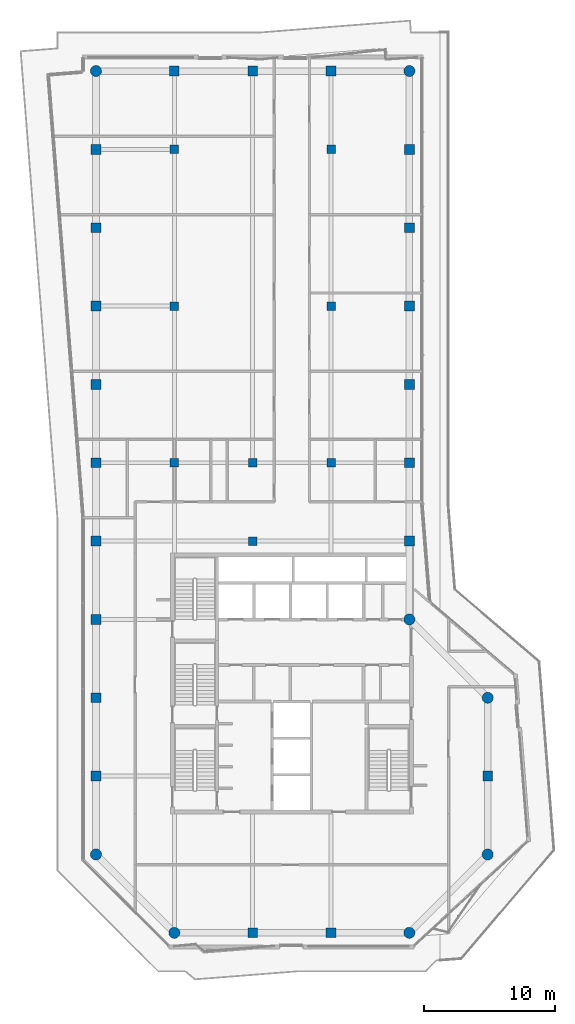
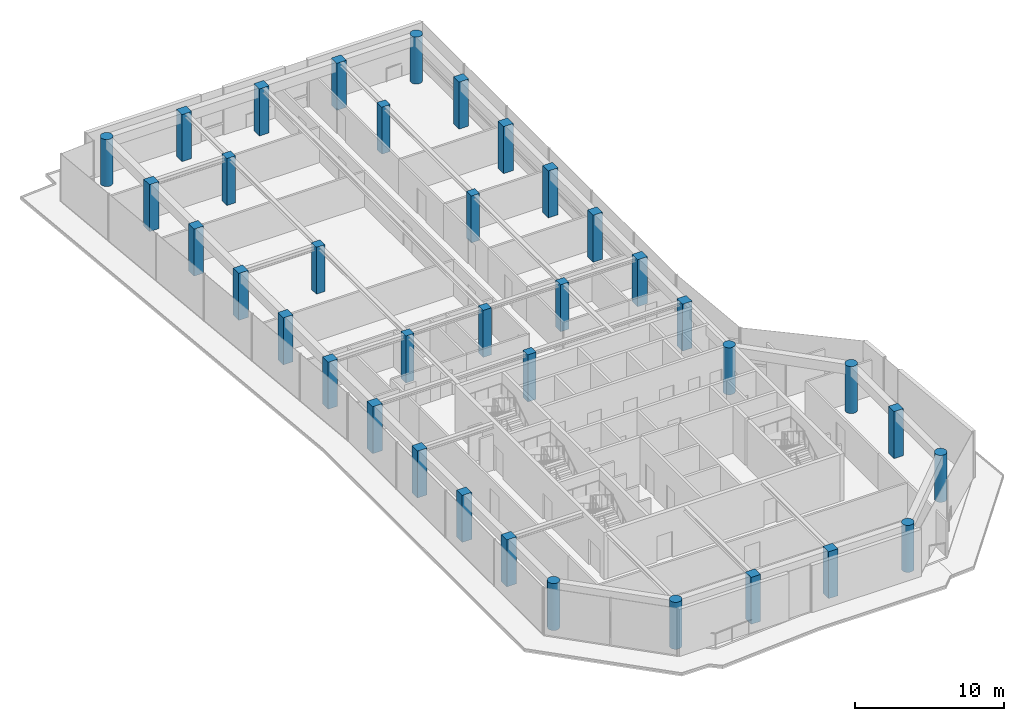
# One storey, part 1 of 23: 37 columns.
"""IFC4 building model written with IfcOpenShell, lengths in metres."""

import ifcopenshell
import ifcopenshell.guid

model = None  # the IFC model being written
_history = None  # IfcOwnerHistory: only IFC2X3 demands one
_inside = {}  # id of a spatial element -> (the spatial element, [elements in it])
_under = {}  # id of a project, library or spatial element -> (it, [spatial elements below it])
_declared = {}  # id of a project -> (the project, [libraries it declares])
_typed = {}  # id of a type object -> (the type object, [elements of that type])
_made_of = {}  # id of a material, layer set ... -> (it, [elements and type objects made of it])


def new_model(schema):
    """Start an empty IFC model of exactly this schema.

    Asked for "IFC4X3", IfcOpenShell would pick the latest addendum, in which some entities
    have other attributes; the version numbers below select the first issue.
    IFC2X3 requires an IfcOwnerHistory on every rooted entity: one is made here for all.
    """
    global model, _history
    if schema == "IFC4X3":
        model = ifcopenshell.file(schema_version=(4, 3, 0, 0))
    else:
        model = ifcopenshell.file(schema=schema)
    _inside.clear()
    _under.clear()
    _declared.clear()
    _typed.clear()
    _made_of.clear()
    _history = None
    if model.schema == "IFC2X3":
        org = make("IfcOrganization", Name="unknown")
        user = make(
            "IfcPersonAndOrganization",
            ThePerson=make("IfcPerson", FamilyName="unknown"),
            TheOrganization=org,
        )
        app = make(
            "IfcApplication",
            ApplicationDeveloper=org,
            Version="unknown",
            ApplicationFullName="unknown",
            ApplicationIdentifier="unknown",
        )
        _history = make(
            "IfcOwnerHistory",
            OwningUser=user,
            OwningApplication=app,
            ChangeAction="ADDED",
            CreationDate=0,
        )
    return model


def make(cls, **values):
    """One entity of the class cls with the attributes given. An attribute that is None is left unset."""
    return model.create_entity(
        cls, **{name: value for name, value in values.items() if value is not None}
    )


def rooted(cls, **values):
    """An entity with a GlobalId (a new one), such as an element, a storey or a relation."""
    return make(cls, GlobalId=ifcopenshell.guid.new(), OwnerHistory=_history, **values)


def si_unit(unit_type, name, prefix=None):
    """IfcSIUnit, for example si_unit("LENGTHUNIT", "METRE", prefix="MILLI")."""
    return make("IfcSIUnit", UnitType=unit_type, Prefix=prefix, Name=name)


def assignment(units):
    """IfcUnitAssignment: the units of a project."""
    return None if units is None else make("IfcUnitAssignment", Units=units)


def point(xyz):
    """IfcCartesianPoint."""
    return None if xyz is None else make("IfcCartesianPoint", Coordinates=xyz)


def direction(xyz):
    """IfcDirection."""
    return None if xyz is None else make("IfcDirection", DirectionRatios=xyz)


def frame(location, z_axis=None, x_axis=None):
    """IfcAxis2Placement3D, a coordinate frame: its origin and axes. An axis left out is left unset."""
    return make(
        "IfcAxis2Placement3D",
        Location=point(location),
        Axis=direction(z_axis),
        RefDirection=direction(x_axis),
    )


def frame_2d(location, x_axis=None):
    """IfcAxis2Placement2D, a coordinate frame in the plane: its origin and x axis."""
    return make(
        "IfcAxis2Placement2D", Location=point(location), RefDirection=direction(x_axis)
    )


def origin():
    """The frame at (0, 0, 0) with its axes left unset."""
    return frame((0.0, 0.0, 0.0))


def origin_2d():
    """The frame at (0, 0) in the plane with its x axis left unset."""
    return frame_2d((0.0, 0.0))


def place(relative_to, where):
    """IfcLocalPlacement: puts the frame where relative to a parent placement (None: the world)."""
    return make(
        "IfcLocalPlacement", PlacementRelTo=relative_to, RelativePlacement=where
    )


def context(
    kind, dimensions, precision=None, world=None, true_north=None, identifier=None
):
    """IfcGeometricRepresentationContext, for example the 3D "Model" context."""
    return make(
        "IfcGeometricRepresentationContext",
        ContextIdentifier=identifier,
        ContextType=kind,
        CoordinateSpaceDimension=dimensions,
        Precision=precision,
        WorldCoordinateSystem=world,
        TrueNorth=true_north,
    )


def subcontext(parent, identifier, kind, view, scale=None):
    """IfcGeometricRepresentationSubContext, for example "Body" below "Model"."""
    return make(
        "IfcGeometricRepresentationSubContext",
        ContextIdentifier=identifier,
        ContextType=kind,
        ParentContext=parent,
        TargetScale=scale,
        TargetView=view,
    )


def project(units=None, contexts=None):
    """IfcProject with its units and contexts."""
    return rooted(
        "IfcProject",
        Name="project",
        RepresentationContexts=contexts,
        UnitsInContext=assignment(units),
    )


def spatial(cls, under=None, at=None, **own):
    """A site, building, storey or space (cls), placed at a placement, below another one or the project."""
    s = rooted(cls, ObjectPlacement=at, **own)
    if under is not None:
        _under.setdefault(under.id(), (under, []))[1].append(s)
    return s


def profile(cls, at=None, kind="AREA", **sizes):
    """A parametric profile (cls). Its sizes go by their IFC names, for example OverallWidth=200.0."""
    return make(cls, ProfileType=kind, Position=at, **sizes)


def rectangle(**sizes):
    """IfcRectangleProfileDef."""
    return profile("IfcRectangleProfileDef", **sizes)


def circle(**sizes):
    """IfcCircleProfileDef."""
    return profile("IfcCircleProfileDef", **sizes)


def extrude(swept, where, along, depth):
    """IfcExtrudedAreaSolid: the profile swept, set in the frame where, extruded along a direction by depth."""
    return make(
        "IfcExtrudedAreaSolid",
        SweptArea=swept,
        Position=where,
        ExtrudedDirection=direction(along),
        Depth=depth,
    )


def shape(context_of_items, identifier, shape_type, items):
    """IfcShapeRepresentation: the items that make up one representation, for example the "Body"."""
    return make(
        "IfcShapeRepresentation",
        ContextOfItems=context_of_items,
        RepresentationIdentifier=identifier,
        RepresentationType=shape_type,
        Items=items,
    )


def material(Name=None, Category=None):
    """IfcMaterial."""
    return make("IfcMaterial", Name=Name, Category=Category)


def material_profile(
    of_material, cross_section, Name=None, Category=None, Priority=None
):
    """IfcMaterialProfile: a cross section and its material."""
    return make(
        "IfcMaterialProfile",
        Name=Name,
        Material=of_material,
        Profile=cross_section,
        Priority=Priority,
        Category=Category,
    )


def profile_set(profiles, Name=None, composite=None):
    """IfcMaterialProfileSet."""
    return make(
        "IfcMaterialProfileSet",
        Name=Name,
        MaterialProfiles=profiles,
        CompositeProfile=composite,
    )


def made_of(thing, what):
    """Note that an element or type object is made of a material, layer set ...; save() writes the relation."""
    if what is not None:
        _made_of.setdefault(what.id(), (what, []))[1].append(thing)
    return thing


def type_object(cls, material=None, **own):
    """A type object (cls), such as IfcWallType, which elements share."""
    return made_of(rooted(cls, **own), material)


def element(
    cls,
    number,
    at=None,
    inside=None,
    cuts=None,
    type_object=None,
    material=None,
    context=None,
    identifier="Body",
    shape_type=None,
    held_by="IfcProductDefinitionShape",
    body=None,
    shapes=None,
    **own,
):
    """One element of the class cls, such as IfcWall. Its Tag is "e" and its number.

    at: its placement. inside: the storey or other place that contains it. cuts: it is an
    opening in that element (IfcRelVoidsElement). A single representation is given by context,
    identifier, shape_type and body (its items); several are given by shapes. held_by: the class
    of the entity that holds the representations. save() writes the other relations.
    """
    e = rooted(cls, Tag="e%d" % number, ObjectPlacement=at, **own)
    if body is not None:
        shapes = [shape(context, identifier, shape_type, body)]
    if shapes is not None:
        e.Representation = make(held_by, Representations=shapes)
    if inside is not None:
        _inside.setdefault(inside.id(), (inside, []))[1].append(e)
    if cuts is not None:
        rooted(
            "IfcRelVoidsElement", RelatingBuildingElement=cuts, RelatedOpeningElement=e
        )
    if type_object is not None:
        _typed.setdefault(type_object.id(), (type_object, []))[1].append(e)
    return made_of(e, material)


def aggregate(whole, parts):
    """IfcRelAggregates: a whole, such as a stair, and the parts it consists of."""
    return rooted("IfcRelAggregates", RelatingObject=whole, RelatedObjects=parts)


def save(model, path):
    """Write the relations noted so far, then the file.

    IfcRelAggregates (storeys below a building ...), IfcRelContainedInSpatialStructure (elements
    in a storey), IfcRelDefinesByType, IfcRelAssociatesMaterial and IfcRelDeclares: one each for
    every whole, place, type object, material and project.
    """
    for whole, parts in _under.values():
        aggregate(whole, parts)
    for where, things in _inside.values():
        rooted(
            "IfcRelContainedInSpatialStructure",
            RelatedElements=things,
            RelatingStructure=where,
        )
    for kind, things in _typed.values():
        rooted("IfcRelDefinesByType", RelatedObjects=things, RelatingType=kind)
    for what, things in _made_of.values():
        rooted("IfcRelAssociatesMaterial", RelatedObjects=things, RelatingMaterial=what)
    for by, libraries in _declared.values():
        rooted("IfcRelDeclares", RelatingContext=by, RelatedDefinitions=libraries)
    model.write(path)


model = new_model("IFC4")

# Units and contexts
model_context = context("Model", 3, precision=1e-05, world=origin(), true_north=direction((0.0, 1.0)))
body_context = subcontext(model_context, "Body", "Model", "MODEL_VIEW")
ifc_project = project(units=[si_unit("LENGTHUNIT", "METRE"), si_unit("AREAUNIT", "SQUARE_METRE"), si_unit("VOLUMEUNIT", "CUBIC_METRE"), si_unit("PLANEANGLEUNIT", "RADIAN"), si_unit("MASSUNIT", "GRAM", prefix="KILO")], contexts=[model_context])

# Site, building, storey
site_placement = place(None, origin())
site = spatial("IfcSite", under=ifc_project, at=site_placement, CompositionType="ELEMENT")
building_placement = place(site_placement, origin())
building = spatial("IfcBuilding", under=site, at=building_placement, Name="Welwitschia Terrace Campus", CompositionType="ELEMENT")
storey_placement = place(building_placement, frame((0.0, 0.0, 306.199951171875)))
storey = spatial("IfcBuildingStorey", under=building, at=storey_placement, Name="L68", CompositionType="ELEMENT", Elevation=306.199951171875)

# Columns
ifc_material_1 = material(Name="Concrete C50/60", Category="concrete")
ifc_material_profile_1 = material_profile(ifc_material_1, circle(Radius=0.425048828125, at=origin_2d()))
ifc_profile_set_1 = profile_set([ifc_material_profile_1], Name="Concrete C50/60")
column_type_1 = type_object("IfcColumnType", Name="Corner column 850 dia", PredefinedType="COLUMN", material=ifc_profile_set_1)
for number, where, z_axis, x_axis, name in (
    (1, (0.0, 2.0, 0.0), (0.0, 0.0, 1.0), (1.0, 0.0, 0.0), "Column C41"),
    (2, (0.0, 62.0, 0.0), (0.0, 0.0, 1.0), (1.0, 0.0, 0.0), "Column C41"),
    (3, (6.0, -4.0, 0.0), (0.0, 0.0, 1.0), (1.0, 0.0, 0.0), "Column C41"),
    (4, (24.0, -4.0, 0.0), (0.0, 0.0, 1.0), (1.0, 0.0, 0.0), "Column C41"),
    (5, (24.0, 20.0, 0.0), (0.0, 0.0, 1.0), (1.0, 0.0, 0.0), "Column C41"),
    (6, (24.0, 62.0, 0.0), (0.0, 0.0, 1.0), (1.0, 0.0, 0.0), "Column C41"),
    (7, (30.0, 2.0, 0.0), (0.0, 0.0, 1.0), (1.0, 0.0, 0.0), "Column C41"),
    (8, (30.0, 14.0, 0.0), (0.0, 0.0, 1.0), (1.0, 0.0, 0.0), "Column C41"),
):
    element("IfcColumn", number, at=place(storey_placement, frame(where, z_axis=z_axis, x_axis=x_axis)), inside=storey, type_object=column_type_1, Name=name, PredefinedType="COLUMN", context=body_context, shape_type="SweptSolid", body=[
        extrude(circle(Radius=0.425048828125, at=origin_2d()), origin(), (0.0, 0.0, 1.0), 3.85009765625),
    ])
ifc_material_2 = material(Name="Concrete C50/60", Category="concrete")
ifc_material_profile_2 = material_profile(ifc_material_2, rectangle(XDim=0.64990234375, YDim=0.64990234375, at=origin_2d()))
ifc_profile_set_2 = profile_set([ifc_material_profile_2], Name="Concrete C50/60")
column_type_2 = type_object("IfcColumnType", Name="Interior column 650x650", PredefinedType="COLUMN", material=ifc_profile_set_2)
for number, where, z_axis, x_axis, name in (
    (9, (6.0, 32.0, 0.0), (0.0, 0.0, 1.0), (1.0, 0.0, 0.0), "Column C43"),
    (10, (6.0, 44.0, 0.0), (0.0, 0.0, 1.0), (1.0, 0.0, 0.0), "Column C43"),
    (11, (6.0, 56.0, 0.0), (0.0, 0.0, 1.0), (1.0, 0.0, 0.0), "Column C43"),
    (12, (12.0, 26.0, 0.0), (0.0, 0.0, 1.0), (1.0, 0.0, 0.0), "Column C43"),
    (13, (12.0, 32.0, 0.0), (0.0, 0.0, 1.0), (1.0, 0.0, 0.0), "Column C43"),
    (14, (18.0, 32.0, 0.0), (0.0, 0.0, 1.0), (1.0, 0.0, 0.0), "Column C43"),
    (15, (18.0, 44.0, 0.0), (0.0, 0.0, 1.0), (1.0, 0.0, 0.0), "Column C43"),
    (16, (18.0, 56.0, 0.0), (0.0, 0.0, 1.0), (1.0, 0.0, 0.0), "Column C43"),
):
    element("IfcColumn", number, at=place(storey_placement, frame(where, z_axis=z_axis, x_axis=x_axis)), inside=storey, type_object=column_type_2, Name=name, PredefinedType="COLUMN", context=body_context, shape_type="SweptSolid", body=[
        extrude(rectangle(XDim=0.64990234375, YDim=0.64990234375, at=origin_2d()), origin(), (0.0, 0.0, 1.0), 3.85009765625),
    ])
ifc_material_3 = material(Name="Concrete C50/60", Category="concrete")
ifc_material_profile_3 = material_profile(ifc_material_3, rectangle(XDim=0.75, YDim=0.75, at=origin_2d()))
ifc_profile_set_3 = profile_set([ifc_material_profile_3], Name="Concrete C50/60")
column_type_3 = type_object("IfcColumnType", Name="Ring column 750x750", PredefinedType="COLUMN", material=ifc_profile_set_3)
for number, where, z_axis, x_axis, name in (
    (17, (0.0, 8.0, 0.0), (0.0, 0.0, 1.0), (1.0, 0.0, 0.0), "Column C42"),
    (18, (0.0, 14.0, 0.0), (0.0, 0.0, 1.0), (1.0, 0.0, 0.0), "Column C42"),
    (19, (0.0, 20.0, 0.0), (0.0, 0.0, 1.0), (1.0, 0.0, 0.0), "Column C42"),
    (20, (0.0, 26.0, 0.0), (0.0, 0.0, 1.0), (1.0, 0.0, 0.0), "Column C42"),
    (21, (0.0, 32.0, 0.0), (0.0, 0.0, 1.0), (1.0, 0.0, 0.0), "Column C42"),
    (22, (0.0, 38.0, 0.0), (0.0, 0.0, 1.0), (1.0, 0.0, 0.0), "Column C42"),
    (23, (0.0, 44.0, 0.0), (0.0, 0.0, 1.0), (1.0, 0.0, 0.0), "Column C42"),
    (24, (0.0, 50.0, 0.0), (0.0, 0.0, 1.0), (1.0, 0.0, 0.0), "Column C42"),
    (25, (0.0, 56.0, 0.0), (0.0, 0.0, 1.0), (1.0, 0.0, 0.0), "Column C42"),
    (26, (6.0, 62.0, 0.0), (0.0, 0.0, 1.0), (1.0, 0.0, 0.0), "Column C42"),
    (27, (12.0, -4.0, 0.0), (0.0, 0.0, 1.0), (1.0, 0.0, 0.0), "Column C42"),
    (28, (12.0, 62.0, 0.0), (0.0, 0.0, 1.0), (1.0, 0.0, 0.0), "Column C42"),
    (29, (18.0, -4.0, 0.0), (0.0, 0.0, 1.0), (1.0, 0.0, 0.0), "Column C42"),
    (30, (18.0, 62.0, 0.0), (0.0, 0.0, 1.0), (1.0, 0.0, 0.0), "Column C42"),
    (31, (24.0, 26.0, 0.0), (0.0, 0.0, 1.0), (1.0, 0.0, 0.0), "Column C42"),
    (32, (24.0, 32.0, 0.0), (0.0, 0.0, 1.0), (1.0, 0.0, 0.0), "Column C42"),
    (33, (24.0, 38.0, 0.0), (0.0, 0.0, 1.0), (1.0, 0.0, 0.0), "Column C42"),
    (34, (24.0, 44.0, 0.0), (0.0, 0.0, 1.0), (1.0, 0.0, 0.0), "Column C42"),
    (35, (24.0, 50.0, 0.0), (0.0, 0.0, 1.0), (1.0, 0.0, 0.0), "Column C42"),
    (36, (24.0, 56.0, 0.0), (0.0, 0.0, 1.0), (1.0, 0.0, 0.0), "Column C42"),
    (37, (30.0, 8.0, 0.0), (0.0, 0.0, 1.0), (1.0, 0.0, 0.0), "Column C42"),
):
    element("IfcColumn", number, at=place(storey_placement, frame(where, z_axis=z_axis, x_axis=x_axis)), inside=storey, type_object=column_type_3, Name=name, PredefinedType="COLUMN", context=body_context, shape_type="SweptSolid", body=[
        extrude(rectangle(XDim=0.75, YDim=0.75, at=origin_2d()), origin(), (0.0, 0.0, 1.0), 3.85009765625),
    ])

save(model, "model.ifc")
